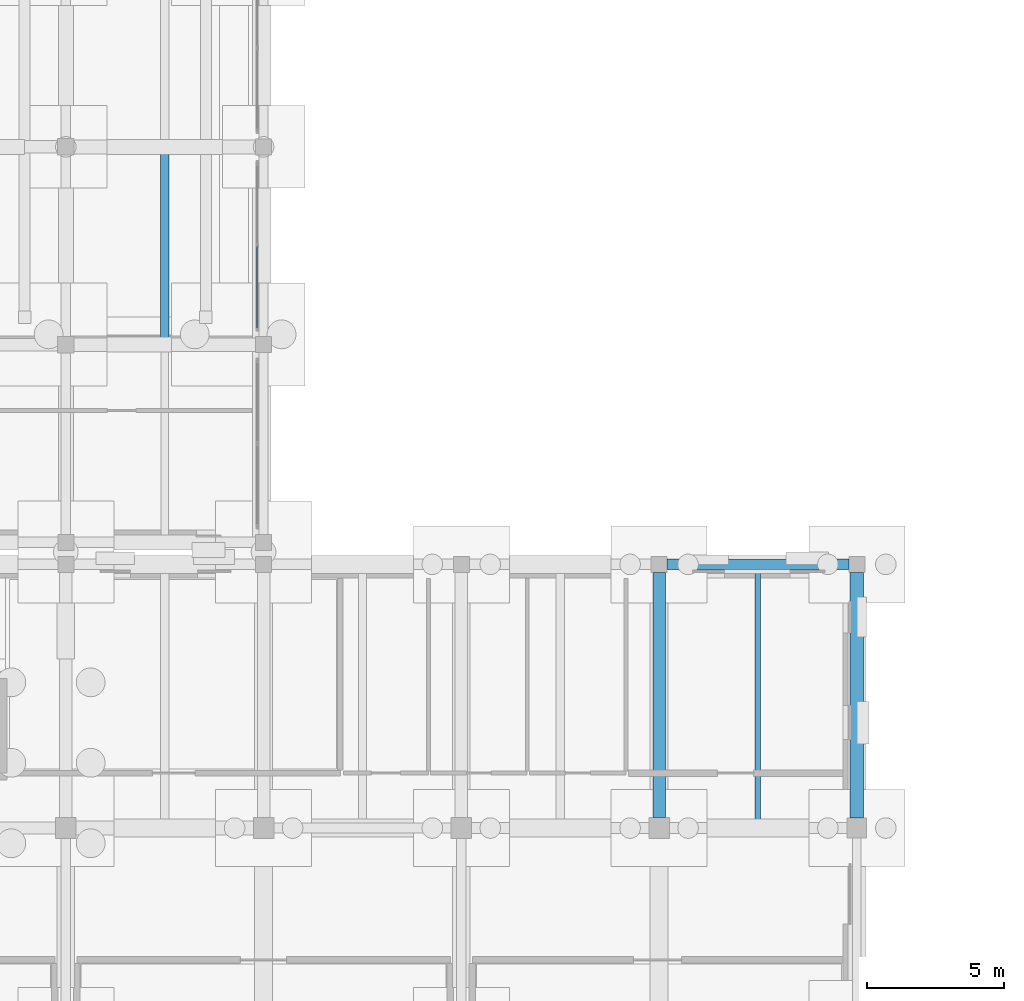
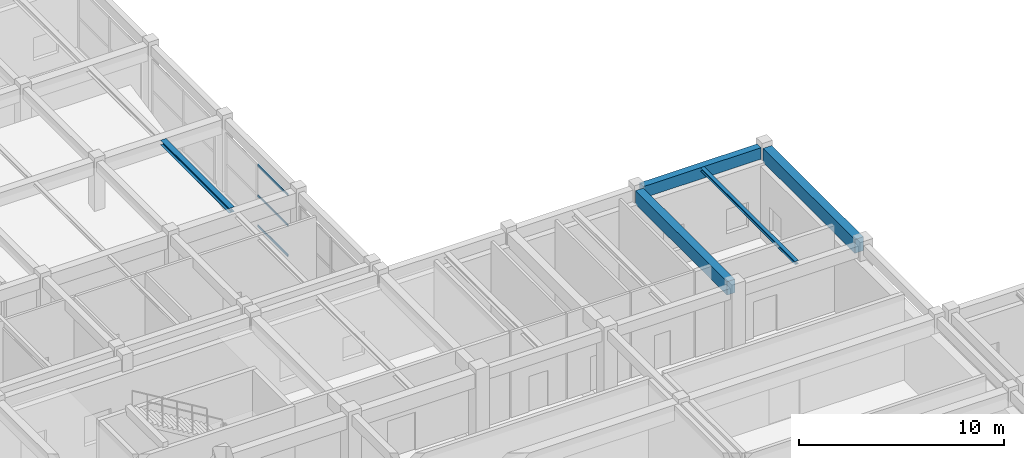
# One storey, part 18 of 91: 5 beams, 3 members, 1 element without a shape of its own.
"""IFC4 building model written with IfcOpenShell, lengths in metres."""

from ifc_helpers import new_model, si_unit, direction, frame, origin, origin_2d, place, context, subcontext, project, spatial, rectangle, hollow_rectangle, i_section, extrude, material, material_profile, profile_set, type_object, element, aggregate, save


model = new_model("IFC4")

# Units and contexts
model_context = context("Model", 3, precision=1e-05, world=origin(), true_north=direction((0.0, 1.0)))
body_context = subcontext(model_context, "Body", "Model", "MODEL_VIEW")
ifc_project = project(units=[si_unit("LENGTHUNIT", "METRE"), si_unit("AREAUNIT", "SQUARE_METRE"), si_unit("VOLUMEUNIT", "CUBIC_METRE"), si_unit("PLANEANGLEUNIT", "RADIAN"), si_unit("MASSUNIT", "GRAM", prefix="KILO")], contexts=[model_context])

# Site, building, storey
site_placement = place(None, origin())
site = spatial("IfcSite", under=ifc_project, at=site_placement, CompositionType="ELEMENT")
building_placement = place(site_placement, origin())
building = spatial("IfcBuilding", under=site, at=building_placement, Name="Bramveld Media Centre", CompositionType="ELEMENT")
storey_placement = place(building_placement, origin())
storey = spatial("IfcBuildingStorey", under=building, at=storey_placement, Name="L00", CompositionType="ELEMENT", Elevation=0.0)

# Beam
ifc_material_1 = material(Name="Concrete C40/50", Category="concrete")
ifc_material_profile_1 = material_profile(ifc_material_1, rectangle(XDim=0.449951171875, YDim=0.800048828125, at=origin_2d()), Name="RC 450x800")
ifc_profile_set_1 = profile_set([ifc_material_profile_1], Name="Concrete C40/50")
beam_type_1 = type_object("IfcBeamType", Name="BM-INT-RC-450x800", PredefinedType="BEAM", material=ifc_profile_set_1)
beam_1_placement = place(storey_placement, frame((50.39990234375, 29.175048828125, 4.699951171875), z_axis=(0.0, 1.0, 0.0), x_axis=(-1.0, 0.0, 0.0)))
element("IfcBeam", 1, at=beam_1_placement, inside=storey, type_object=beam_type_1, Name="V2 L00 girder Y-127", PredefinedType="BEAM", context=body_context, shape_type="SweptSolid", body=[
    extrude(rectangle(XDim=0.449951171875, YDim=0.800048828125, at=origin_2d()), origin(), (0.0, 0.0, 1.0), 8.93505859375),
])

# Curtain wall, members
ifc_material_2 = material(Name="Thermally broken anodized bronze aluminium unitized curtain wall with solar-control triple glazing", Category="aluminium")
curtain_wall_type = type_object("IfcCurtainWallType", Name="CW-FACV3-6100x3670", PredefinedType="NOTDEFINED", material=ifc_material_2)
curtain_wall_placement = place(storey_placement, origin())
curtain_wall = element("IfcCurtainWall", 2, at=curtain_wall_placement, inside=storey, type_object=curtain_wall_type, Name="V3 L00 E curtain wall bay 2", PredefinedType="NOTDEFINED")
ifc_material_3 = material(Name="Thermally broken anodized bronze aluminium EN AW-6063 T6 curtain-wall framing", Category="aluminium")
ifc_material_profile_2 = material_profile(ifc_material_3, hollow_rectangle(XDim=0.06005859375, YDim=0.1201171875, WallThickness=0.00341796875, InnerFilletRadius=0.00341796875, OuterFilletRadius=0.007080078125, at=origin_2d()), Name="AL-TRAN 60x120")
ifc_profile_set_2 = profile_set([ifc_material_profile_2], Name="Thermally broken anodized bronze aluminium EN AW-6063 T6 curtain-wall framing")
member_type = type_object("IfcMemberType", Name="CW-TRAN-EXT", PredefinedType="USERDEFINED", material=ifc_profile_set_2)
member_1_placement = place(storey_placement, frame((35.77001953125, 47.010009765625, 0.8798828125), z_axis=(0.0, 1.0, 0.0), x_axis=(-1.0, 0.0, 0.0)))
member_1 = element("IfcMember", 3, at=member_1_placement, type_object=member_type, Name="CW-FA-6136 transom 1.1", ObjectType="TRANSOM", PredefinedType="USERDEFINED", context=body_context, shape_type="SweptSolid", body=[
    extrude(hollow_rectangle(XDim=0.06005859375, YDim=0.1201171875, WallThickness=0.00341796875, InnerFilletRadius=0.00341796875, OuterFilletRadius=0.007080078125, at=origin_2d()), origin(), (0.0, 0.0, 1.0), 2.9599609375),
])
member_2_placement = place(storey_placement, frame((35.77001953125, 47.010009765625, 2.68505859375), z_axis=(0.0, 1.0, 0.0), x_axis=(-1.0, 0.0, 0.0)))
member_2 = element("IfcMember", 4, at=member_2_placement, type_object=member_type, Name="CW-FA-6136 transom 1.2", ObjectType="TRANSOM", PredefinedType="USERDEFINED", context=body_context, shape_type="SweptSolid", body=[
    extrude(hollow_rectangle(XDim=0.06005859375, YDim=0.1201171875, WallThickness=0.00341796875, InnerFilletRadius=0.00341796875, OuterFilletRadius=0.007080078125, at=origin_2d()), origin(), (0.0, 0.0, 1.0), 2.9599609375),
])
member_3_placement = place(storey_placement, frame((35.77001953125, 47.010009765625, 4.489990234375), z_axis=(0.0, 1.0, 0.0), x_axis=(-1.0, 0.0, 0.0)))
member_3 = element("IfcMember", 5, at=member_3_placement, type_object=member_type, Name="CW-FA-6136 transom 1.3", ObjectType="TRANSOM", PredefinedType="USERDEFINED", context=body_context, shape_type="SweptSolid", body=[
    extrude(hollow_rectangle(XDim=0.06005859375, YDim=0.1201171875, WallThickness=0.00341796875, InnerFilletRadius=0.00341796875, OuterFilletRadius=0.007080078125, at=origin_2d()), origin(), (0.0, 0.0, 1.0), 2.9599609375),
])
aggregate(curtain_wall, [member_1, member_2, member_3])

# Beams
ifc_material_4 = material(Name="Steel S355J2", Category="steel")
ifc_material_profile_3 = material_profile(ifc_material_4, i_section(OverallWidth=0.300048828125, OverallDepth=0.2900390625, WebThickness=0.008544921875, FlangeThickness=0.013916015625, FilletRadius=0.027099609375, at=origin_2d()), Name="HEA 300")
ifc_profile_set_3 = profile_set([ifc_material_profile_3], Name="Steel S355J2")
beam_type_2 = type_object("IfcBeamType", Name="SBM-INT-HEA-300", PredefinedType="BEAM", material=ifc_profile_set_3)
beam_2_placement = place(storey_placement, frame((32.39990234375, 46.64990234375, 4.9951171875), z_axis=(0.0, 1.0, 0.0), x_axis=(-1.0, 0.0, 0.0)))
element("IfcBeam", 6, at=beam_2_placement, inside=storey, type_object=beam_type_2, Name="V3 L00 secondary floor joist 254", PredefinedType="BEAM", context=body_context, shape_type="SweptSolid", body=[
    extrude(i_section(OverallWidth=0.300048828125, OverallDepth=0.2900390625, WebThickness=0.008544921875, FlangeThickness=0.013916015625, FilletRadius=0.027099609375, at=origin_2d()), origin(), (0.0, 0.0, 1.0), 6.7001953125),
])
ifc_material_5 = material(Name="Steel S355J2", Category="steel")
ifc_material_profile_4 = material_profile(ifc_material_5, i_section(OverallWidth=0.199951171875, OverallDepth=0.199951171875, WebThickness=0.009033203125, FlangeThickness=0.014892578125, FilletRadius=0.01806640625, at=origin_2d()), Name="HEB 200")
ifc_profile_set_4 = profile_set([ifc_material_profile_4], Name="Steel S355J2")
beam_type_3 = type_object("IfcBeamType", Name="SBM-INT-HEB-200", PredefinedType="BEAM", material=ifc_profile_set_4)
beam_3_placement = place(storey_placement, frame((54.0, 29.0, 5.0), z_axis=(0.0, 1.0, 0.0), x_axis=(-1.0, 0.0, 0.0)))
element("IfcBeam", 7, at=beam_3_placement, inside=storey, type_object=beam_type_3, Name="V2 L00 secondary floor joist 138", PredefinedType="BEAM", context=body_context, shape_type="SweptSolid", body=[
    extrude(i_section(OverallWidth=0.199951171875, OverallDepth=0.199951171875, WebThickness=0.009033203125, FlangeThickness=0.014892578125, FilletRadius=0.01806640625, at=origin_2d()), origin(), (0.0, 0.0, 1.0), 9.2099609375),
])
ifc_material_6 = material(Name="Concrete C40/50", Category="concrete")
ifc_material_profile_5 = material_profile(ifc_material_6, rectangle(XDim=0.3798828125, YDim=0.679931640625, at=origin_2d()), Name="RC 380x680")
ifc_profile_set_5 = profile_set([ifc_material_profile_5], Name="Concrete C40/50")
beam_type_4 = type_object("IfcBeamType", Name="SPANDREL-EXT-RC-380x680", PredefinedType="SPANDREL", material=ifc_profile_set_5)
beam_4_placement = place(storey_placement, frame((50.68994140625, 38.39990234375, 4.760009765625), z_axis=(1.0, 0.0, 0.0), x_axis=(0.0, 1.0, 0.0)))
element("IfcBeam", 8, at=beam_4_placement, inside=storey, type_object=beam_type_4, Name="V2 L00 girder X-108", PredefinedType="SPANDREL", context=body_context, shape_type="SweptSolid", body=[
    extrude(rectangle(XDim=0.3798828125, YDim=0.679931640625, at=origin_2d()), origin(), (0.0, 0.0, 1.0), 6.6201171875),
])
ifc_material_7 = material(Name="Concrete C40/50", Category="concrete")
ifc_material_profile_6 = material_profile(ifc_material_7, rectangle(XDim=0.47998046875, YDim=0.820068359375, at=origin_2d()), Name="RC 480x820")
ifc_profile_set_6 = profile_set([ifc_material_profile_6], Name="Concrete C40/50")
beam_type_5 = type_object("IfcBeamType", Name="SPANDREL-EXT-RC-480x820", PredefinedType="SPANDREL", material=ifc_profile_set_6)
beam_5_placement = place(storey_placement, frame((57.60009765625, 29.159912109375, 4.68994140625), z_axis=(0.0, 1.0, 0.0), x_axis=(-1.0, 0.0, 0.0)))
element("IfcBeam", 9, at=beam_5_placement, inside=storey, type_object=beam_type_5, Name="V2 L00 girder Y-132", PredefinedType="SPANDREL", context=body_context, shape_type="SweptSolid", body=[
    extrude(rectangle(XDim=0.47998046875, YDim=0.820068359375, at=origin_2d()), origin(), (0.0, 0.0, 1.0), 8.9501953125),
])

save(model, "model.ifc")
